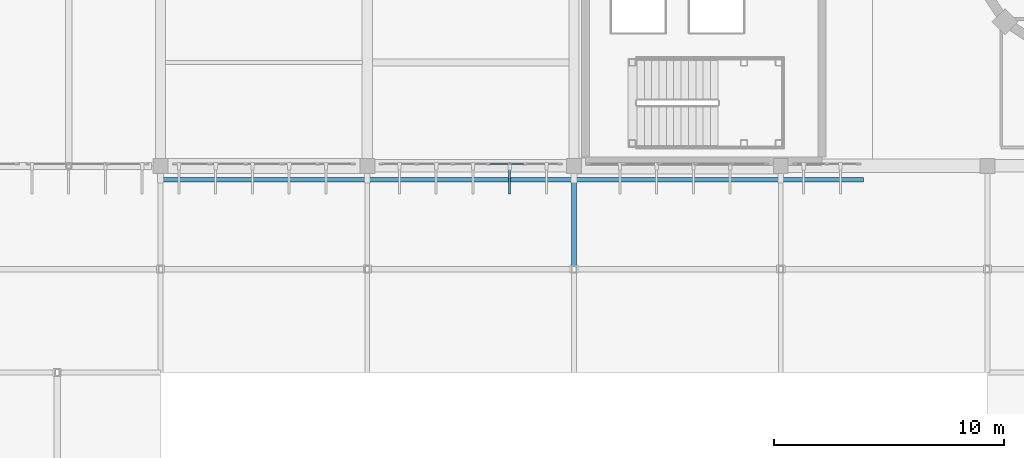
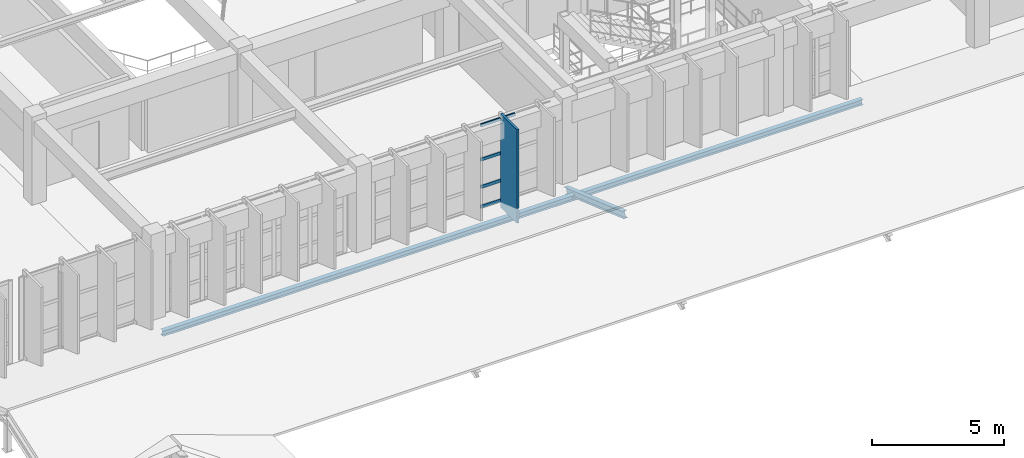
# One storey, part 20 of 80: 6 members, 1 beam, 1 element without a shape of its own.
"""IFC4 building model written with IfcOpenShell, lengths in metres."""

from ifc_helpers import new_model, si_unit, direction, frame, origin, origin_2d, place, context, subcontext, project, spatial, rectangle, hollow_rectangle, i_section, extrude, material, material_profile, profile_set, type_object, element, aggregate, save


model = new_model("IFC4")

# Units and contexts
model_context = context("Model", 3, precision=1e-05, world=origin(), true_north=direction((0.0, 1.0)))
body_context = subcontext(model_context, "Body", "Model", "MODEL_VIEW")
ifc_project = project(units=[si_unit("LENGTHUNIT", "METRE"), si_unit("AREAUNIT", "SQUARE_METRE"), si_unit("VOLUMEUNIT", "CUBIC_METRE"), si_unit("PLANEANGLEUNIT", "RADIAN"), si_unit("MASSUNIT", "GRAM", prefix="KILO")], contexts=[model_context])

# Site, building, storey
site_placement = place(None, origin())
site = spatial("IfcSite", under=ifc_project, at=site_placement, CompositionType="ELEMENT")
building_placement = place(site_placement, origin())
building = spatial("IfcBuilding", under=site, at=building_placement, Name="Miravela Opera House", CompositionType="ELEMENT")
storey_placement = place(building_placement, frame((0.0, 0.0, 17.679931640625)))
storey = spatial("IfcBuildingStorey", under=building, at=storey_placement, Name="L04", CompositionType="ELEMENT", Elevation=17.679931640625)

# Curtain wall, members
ifc_material_1 = material(Name="Anodised architectural bronze aluminium 6063-T6", Category="aluminium")
curtain_wall_type = type_object("IfcCurtainWallType", Name="ARC-CW-02", PredefinedType="NOTDEFINED", material=ifc_material_1)
curtain_wall_placement = place(storey_placement, origin())
curtain_wall = element("IfcCurtainWall", 1, at=curtain_wall_placement, inside=storey, type_object=curtain_wall_type, Name="Auditorium South Wrapper Glazing CW-L04-042", PredefinedType="NOTDEFINED")
ifc_material_profile_1 = material_profile(ifc_material_1, hollow_rectangle(XDim=0.06494140625, YDim=0.139892578125, WallThickness=0.00390625, InnerFilletRadius=0.001953125, OuterFilletRadius=0.00390625, at=origin_2d()), Name="CWT-65X140")
ifc_profile_set_1 = profile_set([ifc_material_profile_1])
member_type_1 = type_object("IfcMemberType", Name="ARC-CWT-140", PredefinedType="USERDEFINED", material=ifc_profile_set_1)
member_1_placement = place(storey_placement, frame((41.31640625, 37.080078125, 0.032470703125), z_axis=(1.0, 0.0, 0.0), x_axis=(0.0, 1.0, 0.0)))
member_1 = element("IfcMember", 2, at=member_1_placement, type_object=member_type_1, Name="CW-02 transom 4.1", ObjectType="TRANSOM", PredefinedType="USERDEFINED", context=body_context, shape_type="SweptSolid", body=[
    extrude(hollow_rectangle(XDim=0.06494140625, YDim=0.139892578125, WallThickness=0.00390625, InnerFilletRadius=0.001953125, OuterFilletRadius=0.00390625, at=origin_2d()), origin(), (0.0, 0.0, 1.0), 1.503173828125),
])
member_2_placement = place(storey_placement, frame((41.31640625, 37.080078125, 0.949951171875), z_axis=(1.0, 0.0, 0.0), x_axis=(0.0, 1.0, 0.0)))
member_2 = element("IfcMember", 3, at=member_2_placement, type_object=member_type_1, Name="CW-02 transom 4.2", ObjectType="TRANSOM", PredefinedType="USERDEFINED", context=body_context, shape_type="SweptSolid", body=[
    extrude(hollow_rectangle(XDim=0.06494140625, YDim=0.139892578125, WallThickness=0.00390625, InnerFilletRadius=0.001953125, OuterFilletRadius=0.00390625, at=origin_2d()), origin(), (0.0, 0.0, 1.0), 1.503173828125),
])
member_3_placement = place(storey_placement, frame((41.31640625, 37.080078125, 2.215576171875), z_axis=(1.0, 0.0, 0.0), x_axis=(0.0, 1.0, 0.0)))
member_3 = element("IfcMember", 4, at=member_3_placement, type_object=member_type_1, Name="CW-02 transom 4.3", ObjectType="TRANSOM", PredefinedType="USERDEFINED", context=body_context, shape_type="SweptSolid", body=[
    extrude(hollow_rectangle(XDim=0.06494140625, YDim=0.139892578125, WallThickness=0.00390625, InnerFilletRadius=0.001953125, OuterFilletRadius=0.00390625, at=origin_2d()), origin(), (0.0, 0.0, 1.0), 1.503173828125),
])
member_4_placement = place(storey_placement, frame((41.31640625, 37.080078125, 3.78759765625), z_axis=(1.0, 0.0, 0.0), x_axis=(0.0, 1.0, 0.0)))
member_4 = element("IfcMember", 5, at=member_4_placement, type_object=member_type_1, Name="CW-02 transom 4.4", ObjectType="TRANSOM", PredefinedType="USERDEFINED", context=body_context, shape_type="SweptSolid", body=[
    extrude(hollow_rectangle(XDim=0.06494140625, YDim=0.139892578125, WallThickness=0.00390625, InnerFilletRadius=0.001953125, OuterFilletRadius=0.00390625, at=origin_2d()), origin(), (0.0, 0.0, 1.0), 1.503173828125),
])
aggregate(curtain_wall, [member_1, member_2, member_3, member_4])

# Member
ifc_material_profile_2 = material_profile(ifc_material_1, rectangle(XDim=0.090087890625, YDim=1.25, at=origin_2d()), Name="FIN-1250X90")
ifc_profile_set_2 = profile_set([ifc_material_profile_2])
member_type_2 = type_object("IfcMemberType", Name="ARC-FIN-1250", PredefinedType="USERDEFINED", material=ifc_profile_set_2)
member_5_placement = place(storey_placement, frame((42.199951171875, 36.39501953125, -0.239990234375), z_axis=(0.0, 0.0, 1.0), x_axis=(1.0, 0.0, 0.0)))
element("IfcMember", 6, at=member_5_placement, inside=storey, type_object=member_type_2, Name="Auditorium Wrapper Bronze Solar Fin FIN-L04-SOUTH-0126", ObjectType="FIN", PredefinedType="USERDEFINED", context=body_context, shape_type="SweptSolid", body=[
    extrude(rectangle(XDim=0.090087890625, YDim=1.25, at=origin_2d()), origin(), (0.0, 0.0, 1.0), 4.320068359375),
])

# Beam
ifc_material_2 = material(Name="Structural steel ASTM A992 Gr. 50", Category="steel")
ifc_material_profile_3 = material_profile(ifc_material_2, i_section(OverallWidth=0.201904296875, OverallDepth=0.2470703125, WebThickness=0.00732421875, FlangeThickness=0.010986328125, FilletRadius=0.011962890625, at=origin_2d()), Name="W250X49")
ifc_profile_set_3 = profile_set([ifc_material_profile_3])
beam_type = type_object("IfcBeamType", Name="STR-BM-W250X49", PredefinedType="LINTEL", material=ifc_profile_set_3)
beam_placement = place(storey_placement, frame((27.0, 36.39501953125, -0.363525390625), z_axis=(1.0, 0.0, 0.0), x_axis=(0.0, 1.0, 0.0)))
element("IfcBeam", 7, at=beam_placement, inside=storey, type_object=beam_type, Name="Facade Fin Support Ledger Beam L04 South", PredefinedType="LINTEL", context=body_context, shape_type="SweptSolid", body=[
    extrude(i_section(OverallWidth=0.201904296875, OverallDepth=0.2470703125, WebThickness=0.00732421875, FlangeThickness=0.010986328125, FilletRadius=0.011962890625, at=origin_2d()), origin(), (0.0, 0.0, 1.0), 30.60009765625),
])

# Member
ifc_material_profile_4 = material_profile(ifc_material_2, i_section(OverallWidth=0.202880859375, OverallDepth=0.302978515625, WebThickness=0.007568359375, FlangeThickness=0.01318359375, FilletRadius=0.012939453125, at=origin_2d()), Name="W310X60")
ifc_profile_set_4 = profile_set([ifc_material_profile_4])
member_type_3 = type_object("IfcMemberType", Name="STR-MEM-RAFTER-2", PredefinedType="RAFTER", material=ifc_profile_set_4)
member_6_placement = place(storey_placement, frame((45.0, 36.949951171875, -0.39990234375), z_axis=(0.0, -0.943687918104, 0.3308369889), x_axis=(1.0, 0.0, 0.0)))
element("IfcMember", 8, at=member_6_placement, inside=storey, type_object=member_type_3, Name="Pitched Roof Rafter ROOF-V4-WEST-N N3", PredefinedType="RAFTER", context=body_context, shape_type="SweptSolid", body=[
    extrude(i_section(OverallWidth=0.202880859375, OverallDepth=0.302978515625, WebThickness=0.007568359375, FlangeThickness=0.01318359375, FilletRadius=0.012939453125, at=origin_2d()), origin(), (0.0, 0.0, 1.0), 4.715576171875),
])

save(model, "model.ifc")
